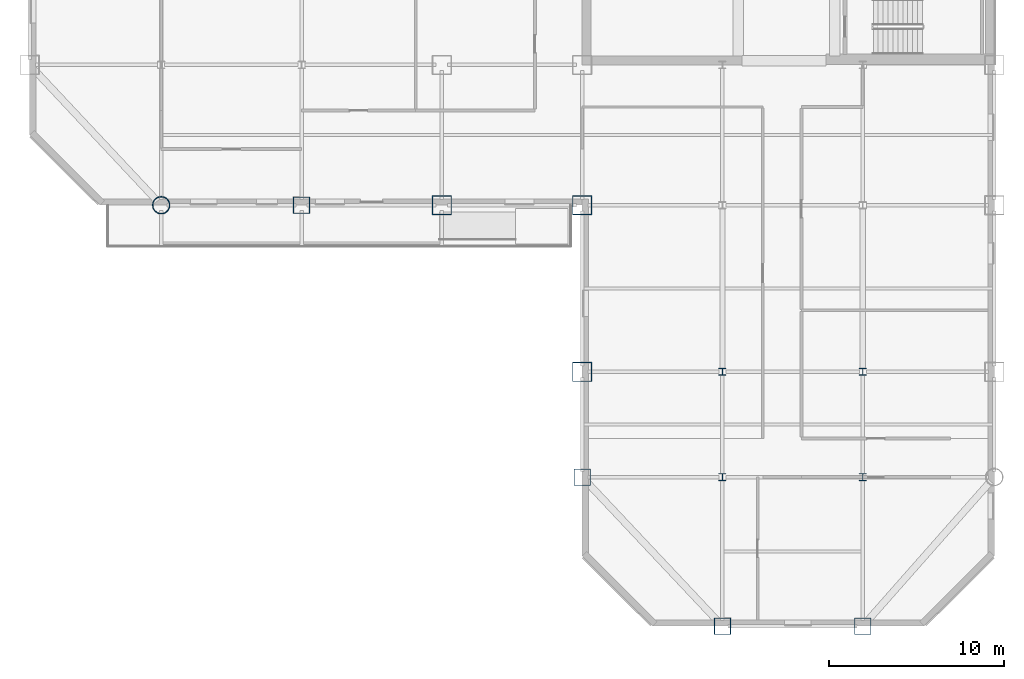
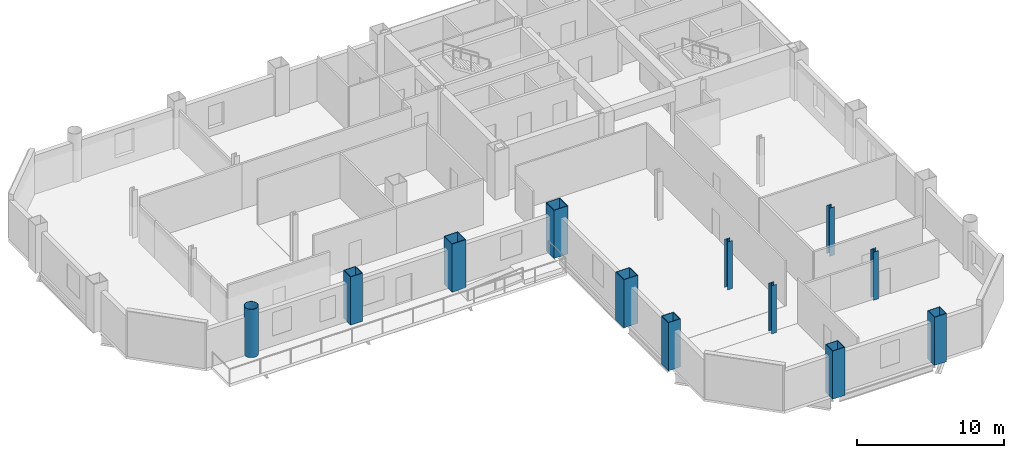
# One storey, part 1 of 10: 12 columns.
"""IFC4 building model written with IfcOpenShell, lengths in metres."""

from ifc_helpers import new_model, si_unit, direction, frame, origin, origin_2d, place, context, subcontext, project, spatial, hollow_rectangle, hollow_circle, i_section, extrude, material, material_profile, profile_set, type_object, element, save


model = new_model("IFC4")

# Units and contexts
model_context = context("Model", 3, precision=1e-05, world=origin(), true_north=direction((0.0, 1.0)))
body_context = subcontext(model_context, "Body", "Model", "MODEL_VIEW")
ifc_project = project(units=[si_unit("LENGTHUNIT", "METRE"), si_unit("AREAUNIT", "SQUARE_METRE"), si_unit("VOLUMEUNIT", "CUBIC_METRE"), si_unit("PLANEANGLEUNIT", "RADIAN"), si_unit("MASSUNIT", "GRAM", prefix="KILO")], contexts=[model_context])

# Site, building, storey
site_placement = place(None, origin())
site = spatial("IfcSite", under=ifc_project, at=site_placement, CompositionType="ELEMENT")
building_placement = place(site_placement, origin())
building = spatial("IfcBuilding", under=site, at=building_placement, Name="Qianrong Seaharbour Tower", CompositionType="ELEMENT")
storey_placement = place(building_placement, frame((0.0, 0.0, 151.0)))
storey = spatial("IfcBuildingStorey", under=building, at=storey_placement, Name="L36", CompositionType="ELEMENT", Elevation=151.0)

# Columns
ifc_material = material(Name="Structural steel SN490B", Category="steel")
ifc_material_profile_1 = material_profile(ifc_material, hollow_rectangle(XDim=1.10009765625, YDim=1.10009765625, WallThickness=0.0400390625, at=origin_2d()), Name="BOX1100x1100x40")
ifc_profile_set_1 = profile_set([ifc_material_profile_1], Name="Structural steel SN490B")
column_type_1 = type_object("IfcColumnType", Name="COL-CFT-1100", PredefinedType="COLUMN", material=ifc_profile_set_1)
for number, where, z_axis, x_axis, name in (
    (1, (32.5, 28.0, 0.0), (0.0, 0.0, 1.0), (1.0, 0.0, 0.0), "L36 Column MC-3 at G5/GE"),
    (2, (40.5, 18.5, 0.0), (0.0, 0.0, 1.0), (1.0, 0.0, 0.0), "L36 Column MC-3 at G6/GD"),
    (3, (40.5, 28.0, 0.0), (0.0, 0.0, 1.0), (1.0, 0.0, 0.0), "L36 Column MC-3 at G6/GE"),
):
    element("IfcColumn", number, at=place(storey_placement, frame(where, z_axis=z_axis, x_axis=x_axis)), inside=storey, type_object=column_type_1, Name=name, PredefinedType="COLUMN", context=body_context, shape_type="SweptSolid", body=[
        extrude(hollow_rectangle(XDim=1.10009765625, YDim=1.10009765625, WallThickness=0.0400390625, at=origin_2d()), origin(), (0.0, 0.0, 1.0), 4.0),
    ])
ifc_material_profile_2 = material_profile(ifc_material, hollow_circle(Radius=0.5, WallThickness=0.035888671875, at=origin_2d()), Name="CHS1000x36")
ifc_profile_set_2 = profile_set([ifc_material_profile_2], Name="Structural steel SN490B")
column_type_2 = type_object("IfcColumnType", Name="COL-CHS-1000", PredefinedType="COLUMN", material=ifc_profile_set_2)
column_placement = place(storey_placement, frame((16.5, 28.0, 0.0), z_axis=(0.0, 0.0, 1.0), x_axis=(1.0, 0.0, 0.0)))
element("IfcColumn", 4, at=column_placement, inside=storey, type_object=column_type_2, Name="L36 Column CC-2 at G3/GE", PredefinedType="COLUMN", context=body_context, shape_type="SweptSolid", body=[
    extrude(hollow_circle(Radius=0.5, WallThickness=0.035888671875, at=origin_2d()), origin(), (0.0, 0.0, 1.0), 4.0),
])
ifc_material_profile_3 = material_profile(ifc_material, i_section(OverallWidth=0.39990234375, OverallDepth=0.39990234375, WebThickness=0.012939453125, FlangeThickness=0.02099609375, FilletRadius=0.02197265625, at=origin_2d()), Name="H400x400x13x21")
ifc_profile_set_3 = profile_set([ifc_material_profile_3], Name="Structural steel SN490B")
column_type_3 = type_object("IfcColumnType", Name="COL-INT-H400", PredefinedType="COLUMN", material=ifc_profile_set_3)
for number, where, z_axis, x_axis, name in (
    (5, (48.5, 12.5, 0.0), (0.0, 0.0, 1.0), (1.0, 0.0, 0.0), "L36 Column IC-3 at G7/GC"),
    (6, (48.5, 18.5, 0.0), (0.0, 0.0, 1.0), (1.0, 0.0, 0.0), "L36 Column IC-3 at G7/GD"),
    (7, (56.5, 12.5, 0.0), (0.0, 0.0, 1.0), (1.0, 0.0, 0.0), "L36 Column IC-3 at G8/GC"),
    (8, (56.5, 18.5, 0.0), (0.0, 0.0, 1.0), (1.0, 0.0, 0.0), "L36 Column IC-3 at G8/GD"),
):
    element("IfcColumn", number, at=place(storey_placement, frame(where, z_axis=z_axis, x_axis=x_axis)), inside=storey, type_object=column_type_3, Name=name, PredefinedType="COLUMN", context=body_context, shape_type="SweptSolid", body=[
        extrude(i_section(OverallWidth=0.39990234375, OverallDepth=0.39990234375, WebThickness=0.012939453125, FlangeThickness=0.02099609375, FilletRadius=0.02197265625, at=origin_2d()), origin(), (0.0, 0.0, 1.0), 4.0),
    ])
ifc_material_profile_4 = material_profile(ifc_material, hollow_rectangle(XDim=0.949951171875, YDim=0.949951171875, WallThickness=0.035888671875, at=origin_2d()), Name="BOX950x950x36")
ifc_profile_set_4 = profile_set([ifc_material_profile_4], Name="Structural steel SN490B")
column_type_4 = type_object("IfcColumnType", Name="COL-PER-950", PredefinedType="COLUMN", material=ifc_profile_set_4)
for number, where, z_axis, x_axis, name in (
    (9, (24.5, 28.0, 0.0), (0.0, 0.0, 1.0), (1.0, 0.0, 0.0), "L36 Column PC-2 at G4/GE"),
    (10, (40.5, 12.5, 0.0), (0.0, 0.0, 1.0), (1.0, 0.0, 0.0), "L36 Column PC-2 at G6/GC"),
    (11, (48.5, 4.0, 0.0), (0.0, 0.0, 1.0), (1.0, 0.0, 0.0), "L36 Column PC-2 at G7/GB"),
    (12, (56.5, 4.0, 0.0), (0.0, 0.0, 1.0), (1.0, 0.0, 0.0), "L36 Column PC-2 at G8/GB"),
):
    element("IfcColumn", number, at=place(storey_placement, frame(where, z_axis=z_axis, x_axis=x_axis)), inside=storey, type_object=column_type_4, Name=name, PredefinedType="COLUMN", context=body_context, shape_type="SweptSolid", body=[
        extrude(hollow_rectangle(XDim=0.949951171875, YDim=0.949951171875, WallThickness=0.035888671875, at=origin_2d()), origin(), (0.0, 0.0, 1.0), 4.0),
    ])

save(model, "model.ifc")
